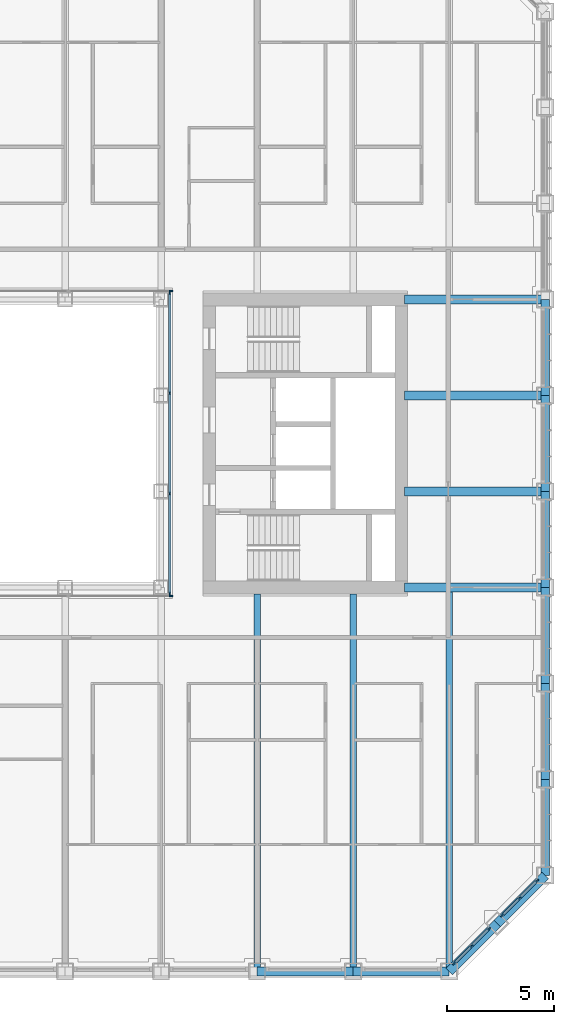
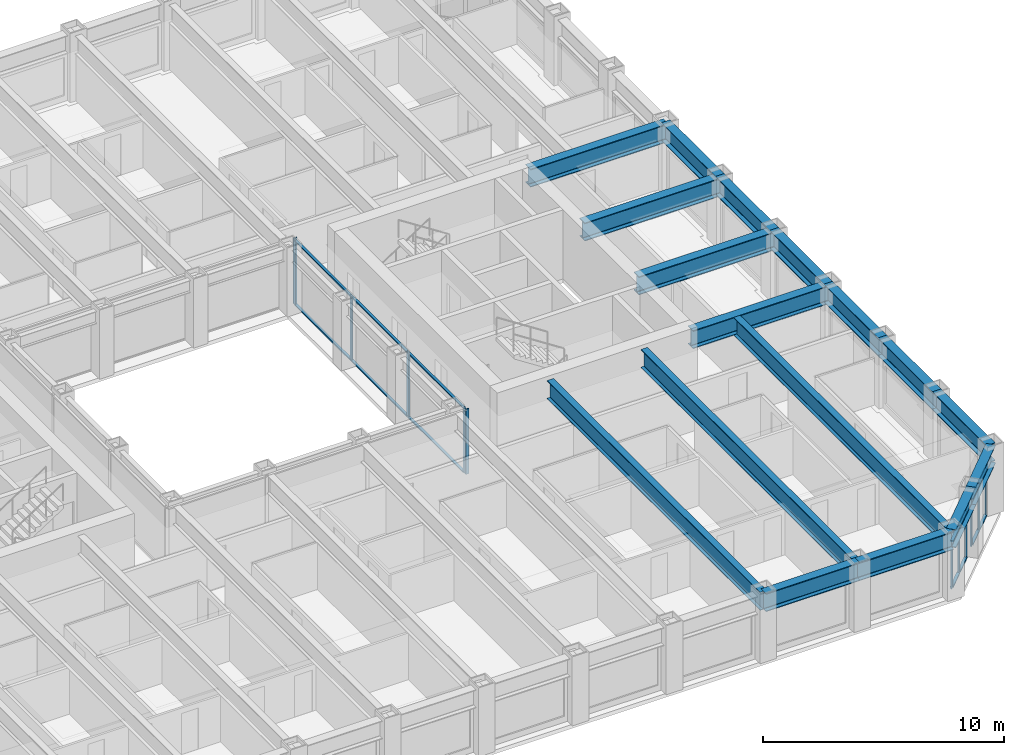
# One storey, part 5 of 20: 26 members, 17 beams, 5 elements without a shape of their own.
"""IFC4 building model written with IfcOpenShell, lengths in metres."""

from ifc_helpers import new_model, si_unit, direction, frame, origin, origin_2d, place, context, subcontext, project, spatial, rectangle, i_section, extrude, material, material_profile, profile_set, type_object, element, aggregate, save


model = new_model("IFC4")

# Units and contexts
model_context = context("Model", 3, precision=1e-05, world=origin(), true_north=direction((0.0, 1.0)))
body_context = subcontext(model_context, "Body", "Model", "MODEL_VIEW")
ifc_project = project(units=[si_unit("LENGTHUNIT", "METRE"), si_unit("AREAUNIT", "SQUARE_METRE"), si_unit("VOLUMEUNIT", "CUBIC_METRE"), si_unit("PLANEANGLEUNIT", "RADIAN"), si_unit("MASSUNIT", "GRAM", prefix="KILO")], contexts=[model_context])

# Site, building, storey
site_placement = place(None, origin())
site = spatial("IfcSite", under=ifc_project, at=site_placement, CompositionType="ELEMENT")
building_placement = place(site_placement, origin())
building = spatial("IfcBuilding", under=site, at=building_placement, Name="Msasa Ring Tower", CompositionType="ELEMENT")
storey_placement = place(building_placement, frame((0.0, 0.0, 65.0)))
storey = spatial("IfcBuildingStorey", under=building, at=storey_placement, Name="L16", CompositionType="ELEMENT", Elevation=65.0)

# Curtain wall, members
ifc_material_1 = material(Name="Aluminium curtain wall with clear glass", Category="aluminium")
curtain_wall_type_1 = type_object("IfcCurtainWallType", Name="CW-C CHAMFER CORNER CURTAIN WALL", PredefinedType="NOTDEFINED", material=ifc_material_1)
curtain_wall_1_placement = place(storey_placement, origin())
curtain_wall_1 = element("IfcCurtainWall", 1, at=curtain_wall_1_placement, inside=storey, type_object=curtain_wall_type_1, Name="Chamfer corner curtain wall SE L16", PredefinedType="NOTDEFINED")
ifc_material_2 = material(Name="Aluminium mullion", Category="aluminium")
ifc_material_profile_1 = material_profile(ifc_material_2, rectangle(XDim=0.06494140625, YDim=0.179931640625, at=origin_2d()), Name="AL 65x180")
ifc_profile_set_1 = profile_set([ifc_material_profile_1], Name="Aluminium mullion")
member_type_1 = type_object("IfcMemberType", Name="CW-C MULLION 65x180", PredefinedType="MULLION", material=ifc_profile_set_1)
member_1_placement = place(storey_placement, frame((20.48876953125, -24.369873046875, 0.0), z_axis=(0.0, 0.0, 1.0), x_axis=(-0.707106781187, 0.707106781187, 0.0)))
member_1 = element("IfcMember", 2, at=member_1_placement, type_object=member_type_1, Name="CW-C mullion 1", PredefinedType="MULLION", context=body_context, shape_type="SweptSolid", body=[
    extrude(rectangle(XDim=0.06494140625, YDim=0.179931640625, at=origin_2d()), origin(), (0.0, 0.0, 1.0), 2.37890625),
])
member_2_placement = place(storey_placement, frame((21.30419921875, -23.55419921875, 0.0), z_axis=(0.0, 0.0, 1.0), x_axis=(-0.707106781187, 0.707106781187, 0.0)))
member_2 = element("IfcMember", 3, at=member_2_placement, type_object=member_type_1, Name="CW-C mullion 2", PredefinedType="MULLION", context=body_context, shape_type="SweptSolid", body=[
    extrude(rectangle(XDim=0.06494140625, YDim=0.179931640625, at=origin_2d()), origin(), (0.0, 0.0, 1.0), 2.37890625),
])
member_3_placement = place(storey_placement, frame((22.119873046875, -22.73876953125, 0.0), z_axis=(0.0, 0.0, 1.0), x_axis=(-0.707106781187, 0.707106781187, 0.0)))
member_3 = element("IfcMember", 4, at=member_3_placement, type_object=member_type_1, Name="CW-C mullion 3", PredefinedType="MULLION", context=body_context, shape_type="SweptSolid", body=[
    extrude(rectangle(XDim=0.06494140625, YDim=0.179931640625, at=origin_2d()), origin(), (0.0, 0.0, 1.0), 2.37890625),
])

curtain_wall_2_placement = place(storey_placement, origin())
curtain_wall_2 = element("IfcCurtainWall", 5, at=curtain_wall_2_placement, inside=storey, type_object=curtain_wall_type_1, Name="Chamfer corner curtain wall SE L16", PredefinedType="NOTDEFINED")
member_4_placement = place(storey_placement, frame((22.73876953125, -22.119873046875, 0.0), z_axis=(0.0, 0.0, 1.0), x_axis=(-0.707106781187, 0.707106781187, 0.0)))
member_4 = element("IfcMember", 6, at=member_4_placement, type_object=member_type_1, Name="CW-C mullion 1", PredefinedType="MULLION", context=body_context, shape_type="SweptSolid", body=[
    extrude(rectangle(XDim=0.06494140625, YDim=0.179931640625, at=origin_2d()), origin(), (0.0, 0.0, 1.0), 2.37890625),
])
member_5_placement = place(storey_placement, frame((23.55419921875, -21.30419921875, 0.0), z_axis=(0.0, 0.0, 1.0), x_axis=(-0.707106781187, 0.707106781187, 0.0)))
member_5 = element("IfcMember", 7, at=member_5_placement, type_object=member_type_1, Name="CW-C mullion 2", PredefinedType="MULLION", context=body_context, shape_type="SweptSolid", body=[
    extrude(rectangle(XDim=0.06494140625, YDim=0.179931640625, at=origin_2d()), origin(), (0.0, 0.0, 1.0), 2.37890625),
])
member_6_placement = place(storey_placement, frame((24.369873046875, -20.48876953125, 0.0), z_axis=(0.0, 0.0, 1.0), x_axis=(-0.707106781187, 0.707106781187, 0.0)))
member_6 = element("IfcMember", 8, at=member_6_placement, type_object=member_type_1, Name="CW-C mullion 3", PredefinedType="MULLION", context=body_context, shape_type="SweptSolid", body=[
    extrude(rectangle(XDim=0.06494140625, YDim=0.179931640625, at=origin_2d()), origin(), (0.0, 0.0, 1.0), 2.37890625),
])

# Member
ifc_material_3 = material(Name="Aluminium transom", Category="aluminium")
ifc_material_profile_2 = material_profile(ifc_material_3, rectangle(XDim=0.139892578125, YDim=0.06494140625, at=origin_2d()), Name="AL 65x140")
ifc_profile_set_2 = profile_set([ifc_material_profile_2], Name="Aluminium transom")
member_type_2 = type_object("IfcMemberType", Name="CW-C TRANSOM 65x140", PredefinedType="USERDEFINED", material=ifc_profile_set_2)
member_7_placement = place(storey_placement, frame((20.51171875, -24.346923828125, 0.032470703125), z_axis=(0.707106781187, 0.707106781187, 0.0), x_axis=(-0.707106781187, 0.707106781187, 0.0)))
member_7 = element("IfcMember", 9, at=member_7_placement, type_object=member_type_2, Name="CW-C transom 1.1", ObjectType="TRANSOM", PredefinedType="USERDEFINED", context=body_context, shape_type="SweptSolid", body=[
    extrude(rectangle(XDim=0.139892578125, YDim=0.06494140625, at=origin_2d()), origin(), (0.0, 0.0, 1.0), 1.08837890625),
])

member_8_placement = place(storey_placement, frame((20.51171875, -24.346923828125, 2.346435546875), z_axis=(0.707106781187, 0.707106781187, 0.0), x_axis=(-0.707106781187, 0.707106781187, 0.0)))
member_8 = element("IfcMember", 10, at=member_8_placement, type_object=member_type_2, Name="CW-C transom 1.2", ObjectType="TRANSOM", PredefinedType="USERDEFINED", context=body_context, shape_type="SweptSolid", body=[
    extrude(rectangle(XDim=0.139892578125, YDim=0.06494140625, at=origin_2d()), origin(), (0.0, 0.0, 1.0), 1.08837890625),
])

member_9_placement = place(storey_placement, frame((21.327392578125, -23.53125, 0.032470703125), z_axis=(0.707106781187, 0.707106781187, 0.0), x_axis=(-0.707106781187, 0.707106781187, 0.0)))
member_9 = element("IfcMember", 11, at=member_9_placement, type_object=member_type_2, Name="CW-C transom 2.1", ObjectType="TRANSOM", PredefinedType="USERDEFINED", context=body_context, shape_type="SweptSolid", body=[
    extrude(rectangle(XDim=0.139892578125, YDim=0.06494140625, at=origin_2d()), origin(), (0.0, 0.0, 1.0), 1.08837890625),
])

member_10_placement = place(storey_placement, frame((21.327392578125, -23.53125, 2.346435546875), z_axis=(0.707106781187, 0.707106781187, 0.0), x_axis=(-0.707106781187, 0.707106781187, 0.0)))
member_10 = element("IfcMember", 12, at=member_10_placement, type_object=member_type_2, Name="CW-C transom 2.2", ObjectType="TRANSOM", PredefinedType="USERDEFINED", context=body_context, shape_type="SweptSolid", body=[
    extrude(rectangle(XDim=0.139892578125, YDim=0.06494140625, at=origin_2d()), origin(), (0.0, 0.0, 1.0), 1.08837890625),
])

aggregate(curtain_wall_1, [member_1, member_2, member_3, member_7, member_8, member_9, member_10])

member_11_placement = place(storey_placement, frame((22.76171875, -22.096923828125, 0.032470703125), z_axis=(0.707106781187, 0.707106781187, 0.0), x_axis=(-0.707106781187, 0.707106781187, 0.0)))
member_11 = element("IfcMember", 13, at=member_11_placement, type_object=member_type_2, Name="CW-C transom 1.1", ObjectType="TRANSOM", PredefinedType="USERDEFINED", context=body_context, shape_type="SweptSolid", body=[
    extrude(rectangle(XDim=0.139892578125, YDim=0.06494140625, at=origin_2d()), origin(), (0.0, 0.0, 1.0), 1.08837890625),
])

member_12_placement = place(storey_placement, frame((22.76171875, -22.096923828125, 2.346435546875), z_axis=(0.707106781187, 0.707106781187, 0.0), x_axis=(-0.707106781187, 0.707106781187, 0.0)))
member_12 = element("IfcMember", 14, at=member_12_placement, type_object=member_type_2, Name="CW-C transom 1.2", ObjectType="TRANSOM", PredefinedType="USERDEFINED", context=body_context, shape_type="SweptSolid", body=[
    extrude(rectangle(XDim=0.139892578125, YDim=0.06494140625, at=origin_2d()), origin(), (0.0, 0.0, 1.0), 1.08837890625),
])

member_13_placement = place(storey_placement, frame((23.577392578125, -21.28125, 0.032470703125), z_axis=(0.707106781187, 0.707106781187, 0.0), x_axis=(-0.707106781187, 0.707106781187, 0.0)))
member_13 = element("IfcMember", 15, at=member_13_placement, type_object=member_type_2, Name="CW-C transom 2.1", ObjectType="TRANSOM", PredefinedType="USERDEFINED", context=body_context, shape_type="SweptSolid", body=[
    extrude(rectangle(XDim=0.139892578125, YDim=0.06494140625, at=origin_2d()), origin(), (0.0, 0.0, 1.0), 1.08837890625),
])

member_14_placement = place(storey_placement, frame((23.577392578125, -21.28125, 2.346435546875), z_axis=(0.707106781187, 0.707106781187, 0.0), x_axis=(-0.707106781187, 0.707106781187, 0.0)))
member_14 = element("IfcMember", 16, at=member_14_placement, type_object=member_type_2, Name="CW-C transom 2.2", ObjectType="TRANSOM", PredefinedType="USERDEFINED", context=body_context, shape_type="SweptSolid", body=[
    extrude(rectangle(XDim=0.139892578125, YDim=0.06494140625, at=origin_2d()), origin(), (0.0, 0.0, 1.0), 1.08837890625),
])

aggregate(curtain_wall_2, [member_4, member_5, member_6, member_11, member_12, member_13, member_14])

# Curtain wall, member
ifc_material_4 = material(Name="Aluminium curtain wall with clear glass", Category="aluminium")
curtain_wall_type_2 = type_object("IfcCurtainWallType", Name="CW-W LIGHT WELL CURTAIN WALL", PredefinedType="NOTDEFINED", material=ifc_material_4)
curtain_wall_3_placement = place(storey_placement, origin())
curtain_wall_3 = element("IfcCurtainWall", 17, at=curtain_wall_3_placement, inside=storey, type_object=curtain_wall_type_2, Name="Light well curtain wall N L16", PredefinedType="NOTDEFINED")
ifc_material_5 = material(Name="Aluminium mullion", Category="aluminium")
ifc_material_profile_3 = material_profile(ifc_material_5, rectangle(XDim=0.06005859375, YDim=0.159912109375, at=origin_2d()), Name="AL 60x160")
ifc_profile_set_3 = profile_set([ifc_material_profile_3], Name="Aluminium mullion")
member_type_3 = type_object("IfcMemberType", Name="CW-W MULLION 60x160", PredefinedType="MULLION", material=ifc_profile_set_3)
member_15_placement = place(storey_placement, frame((7.199951171875, 7.14990234375, 0.0), z_axis=(0.0, 0.0, 1.0), x_axis=(0.0, 1.0, 0.0)))
member_15 = element("IfcMember", 18, at=member_15_placement, type_object=member_type_3, Name="CW-W mullion 4", PredefinedType="MULLION", context=body_context, shape_type="SweptSolid", body=[
    extrude(rectangle(XDim=0.06005859375, YDim=0.159912109375, at=origin_2d()), origin(), (0.0, 0.0, 1.0), 3.300048828125),
])
aggregate(curtain_wall_3, [member_15])

curtain_wall_4_placement = place(storey_placement, origin())
curtain_wall_4 = element("IfcCurtainWall", 19, at=curtain_wall_4_placement, inside=storey, type_object=curtain_wall_type_2, Name="Light well curtain wall S L16", PredefinedType="NOTDEFINED")
member_16_placement = place(storey_placement, frame((7.199951171875, -7.14990234375, 0.0), z_axis=(0.0, 0.0, 1.0), x_axis=(0.0, 1.0, 0.0)))
member_16 = element("IfcMember", 20, at=member_16_placement, type_object=member_type_3, Name="CW-W mullion 4", PredefinedType="MULLION", context=body_context, shape_type="SweptSolid", body=[
    extrude(rectangle(XDim=0.06005859375, YDim=0.159912109375, at=origin_2d()), origin(), (0.0, 0.0, 1.0), 3.300048828125),
])
aggregate(curtain_wall_4, [member_16])

# Curtain wall, members
curtain_wall_5_placement = place(storey_placement, origin())
curtain_wall_5 = element("IfcCurtainWall", 21, at=curtain_wall_5_placement, inside=storey, type_object=curtain_wall_type_2, Name="Light well curtain wall E L16", PredefinedType="NOTDEFINED")
member_17_placement = place(storey_placement, frame((7.14990234375, -7.0400390625, 0.0), z_axis=(0.0, 0.0, 1.0), x_axis=(-1.0, 0.0, 0.0)))
member_17 = element("IfcMember", 22, at=member_17_placement, type_object=member_type_3, Name="CW-W mullion 1", PredefinedType="MULLION", context=body_context, shape_type="SweptSolid", body=[
    extrude(rectangle(XDim=0.06005859375, YDim=0.159912109375, at=origin_2d()), origin(), (0.0, 0.0, 1.0), 3.300048828125),
])
member_18_placement = place(storey_placement, frame((7.14990234375, -2.356689453125, 0.0), z_axis=(0.0, 0.0, 1.0), x_axis=(-1.0, 0.0, 0.0)))
member_18 = element("IfcMember", 23, at=member_18_placement, type_object=member_type_3, Name="CW-W mullion 2", PredefinedType="MULLION", context=body_context, shape_type="SweptSolid", body=[
    extrude(rectangle(XDim=0.06005859375, YDim=0.159912109375, at=origin_2d()), origin(), (0.0, 0.0, 1.0), 3.300048828125),
])
member_19_placement = place(storey_placement, frame((7.14990234375, 2.356689453125, 0.0), z_axis=(0.0, 0.0, 1.0), x_axis=(-1.0, 0.0, 0.0)))
member_19 = element("IfcMember", 24, at=member_19_placement, type_object=member_type_3, Name="CW-W mullion 3", PredefinedType="MULLION", context=body_context, shape_type="SweptSolid", body=[
    extrude(rectangle(XDim=0.06005859375, YDim=0.159912109375, at=origin_2d()), origin(), (0.0, 0.0, 1.0), 3.300048828125),
])
member_20_placement = place(storey_placement, frame((7.14990234375, 7.0400390625, 0.0), z_axis=(0.0, 0.0, 1.0), x_axis=(-1.0, 0.0, 0.0)))
member_20 = element("IfcMember", 25, at=member_20_placement, type_object=member_type_3, Name="CW-W mullion 4", PredefinedType="MULLION", context=body_context, shape_type="SweptSolid", body=[
    extrude(rectangle(XDim=0.06005859375, YDim=0.159912109375, at=origin_2d()), origin(), (0.0, 0.0, 1.0), 3.300048828125),
])
ifc_material_6 = material(Name="Aluminium transom", Category="aluminium")
ifc_material_profile_4 = material_profile(ifc_material_6, rectangle(XDim=0.1201171875, YDim=0.06005859375, at=origin_2d()), Name="AL 60x120")
ifc_profile_set_4 = profile_set([ifc_material_profile_4], Name="Aluminium transom")
member_type_4 = type_object("IfcMemberType", Name="CW-W TRANSOM 60x120", PredefinedType="USERDEFINED", material=ifc_profile_set_4)
member_21_placement = place(storey_placement, frame((7.14990234375, -7.010009765625, 0.030029296875), z_axis=(0.0, 1.0, 0.0), x_axis=(-1.0, 0.0, 0.0)))
member_21 = element("IfcMember", 26, at=member_21_placement, type_object=member_type_4, Name="CW-W transom 1.1", ObjectType="TRANSOM", PredefinedType="USERDEFINED", context=body_context, shape_type="SweptSolid", body=[
    extrude(rectangle(XDim=0.1201171875, YDim=0.06005859375, at=origin_2d()), origin(), (0.0, 0.0, 1.0), 4.623291015625),
])
member_22_placement = place(storey_placement, frame((7.14990234375, -7.010009765625, 3.27001953125), z_axis=(0.0, 1.0, 0.0), x_axis=(-1.0, 0.0, 0.0)))
member_22 = element("IfcMember", 27, at=member_22_placement, type_object=member_type_4, Name="CW-W transom 1.2", ObjectType="TRANSOM", PredefinedType="USERDEFINED", context=body_context, shape_type="SweptSolid", body=[
    extrude(rectangle(XDim=0.1201171875, YDim=0.06005859375, at=origin_2d()), origin(), (0.0, 0.0, 1.0), 4.623291015625),
])
member_23_placement = place(storey_placement, frame((7.14990234375, -2.32666015625, 0.030029296875), z_axis=(0.0, 1.0, 0.0), x_axis=(-1.0, 0.0, 0.0)))
member_23 = element("IfcMember", 28, at=member_23_placement, type_object=member_type_4, Name="CW-W transom 2.1", ObjectType="TRANSOM", PredefinedType="USERDEFINED", context=body_context, shape_type="SweptSolid", body=[
    extrude(rectangle(XDim=0.1201171875, YDim=0.06005859375, at=origin_2d()), origin(), (0.0, 0.0, 1.0), 4.6533203125),
])
member_24_placement = place(storey_placement, frame((7.14990234375, -2.32666015625, 3.27001953125), z_axis=(0.0, 1.0, 0.0), x_axis=(-1.0, 0.0, 0.0)))
member_24 = element("IfcMember", 29, at=member_24_placement, type_object=member_type_4, Name="CW-W transom 2.2", ObjectType="TRANSOM", PredefinedType="USERDEFINED", context=body_context, shape_type="SweptSolid", body=[
    extrude(rectangle(XDim=0.1201171875, YDim=0.06005859375, at=origin_2d()), origin(), (0.0, 0.0, 1.0), 4.6533203125),
])
member_25_placement = place(storey_placement, frame((7.14990234375, 2.38671875, 0.030029296875), z_axis=(0.0, 1.0, 0.0), x_axis=(-1.0, 0.0, 0.0)))
member_25 = element("IfcMember", 30, at=member_25_placement, type_object=member_type_4, Name="CW-W transom 3.1", ObjectType="TRANSOM", PredefinedType="USERDEFINED", context=body_context, shape_type="SweptSolid", body=[
    extrude(rectangle(XDim=0.1201171875, YDim=0.06005859375, at=origin_2d()), origin(), (0.0, 0.0, 1.0), 4.623291015625),
])
member_26_placement = place(storey_placement, frame((7.14990234375, 2.38671875, 3.27001953125), z_axis=(0.0, 1.0, 0.0), x_axis=(-1.0, 0.0, 0.0)))
member_26 = element("IfcMember", 31, at=member_26_placement, type_object=member_type_4, Name="CW-W transom 3.2", ObjectType="TRANSOM", PredefinedType="USERDEFINED", context=body_context, shape_type="SweptSolid", body=[
    extrude(rectangle(XDim=0.1201171875, YDim=0.06005859375, at=origin_2d()), origin(), (0.0, 0.0, 1.0), 4.623291015625),
])
aggregate(curtain_wall_5, [member_17, member_18, member_19, member_20, member_21, member_22, member_23, member_24, member_25, member_26])

# Beams
ifc_material_7 = material(Name="Steel S355", Category="steel")
ifc_material_profile_5 = material_profile(ifc_material_7, i_section(OverallWidth=0.42041015625, OverallDepth=0.9208984375, WebThickness=0.021484375, FlangeThickness=0.03662109375, FilletRadius=0.024169921875, at=origin_2d()), Name="UB 914x419x388")
ifc_profile_set_5 = profile_set([ifc_material_profile_5], Name="Steel S355")
beam_type_1 = type_object("IfcBeamType", Name="FB2 UB 914x419x388", PredefinedType="BEAM", material=ifc_profile_set_5)
for number, where, z_axis, x_axis, name in (
    (32, (24.75, -2.25, 2.839599609375), (-1.0, 0.0, 0.0), (0.0, -1.0, 0.0), "Floor beam E -2.25 under L17"),
    (33, (24.75, 2.25, 2.839599609375), (-1.0, 0.0, 0.0), (0.0, -1.0, 0.0), "Floor beam E +2.25 under L17"),
):
    element("IfcBeam", number, at=place(storey_placement, frame(where, z_axis=z_axis, x_axis=x_axis)), inside=storey, type_object=beam_type_1, Name=name, PredefinedType="BEAM", context=body_context, shape_type="SweptSolid", body=[
        extrude(i_section(OverallWidth=0.42041015625, OverallDepth=0.9208984375, WebThickness=0.021484375, FlangeThickness=0.03662109375, FilletRadius=0.024169921875, at=origin_2d()), origin(), (0.0, 0.0, 1.0), 6.60009765625),
    ])
ifc_material_8 = material(Name="Steel S355", Category="steel")
ifc_material_profile_6 = material_profile(ifc_material_8, i_section(OverallWidth=0.3076171875, OverallDepth=0.926513671875, WebThickness=0.01953125, FlangeThickness=0.031982421875, FilletRadius=0.01904296875, at=origin_2d()), Name="UB 914x305x289")
ifc_profile_set_6 = profile_set([ifc_material_profile_6], Name="Steel S355")
beam_type_2 = type_object("IfcBeamType", Name="FB3 UB 914x305x289", PredefinedType="BEAM", material=ifc_profile_set_6)
for number, where, z_axis, x_axis, name in (
    (34, (11.25, -24.75, 2.836669921875), (0.0, 1.0, 0.0), (-1.0, 0.0, 0.0), "Floor beam S+11.25 under L17"),
    (35, (15.75, -24.75, 2.836669921875), (0.0, 1.0, 0.0), (-1.0, 0.0, 0.0), "Floor beam S+15.75 under L17"),
):
    element("IfcBeam", number, at=place(storey_placement, frame(where, z_axis=z_axis, x_axis=x_axis)), inside=storey, type_object=beam_type_2, Name=name, PredefinedType="BEAM", context=body_context, shape_type="SweptSolid", body=[
        extrude(i_section(OverallWidth=0.3076171875, OverallDepth=0.926513671875, WebThickness=0.01953125, FlangeThickness=0.031982421875, FilletRadius=0.01904296875, at=origin_2d()), origin(), (0.0, 0.0, 1.0), 17.699951171875),
    ])
beam_placement = place(storey_placement, frame((20.25, -24.75, 2.836669921875), z_axis=(0.0, 1.0, 0.0), x_axis=(-1.0, 0.0, 0.0)))
element("IfcBeam", 36, at=beam_placement, inside=storey, type_object=beam_type_2, Name="Floor beam S+20.25 under L17", PredefinedType="BEAM", context=body_context, shape_type="SweptSolid", body=[
    extrude(i_section(OverallWidth=0.3076171875, OverallDepth=0.926513671875, WebThickness=0.01953125, FlangeThickness=0.031982421875, FilletRadius=0.01904296875, at=origin_2d()), origin(), (0.0, 0.0, 1.0), 17.789794921875),
])
ifc_material_9 = material(Name="Steel S355", Category="steel")
ifc_material_profile_7 = material_profile(ifc_material_9, i_section(OverallWidth=0.42041015625, OverallDepth=0.9208984375, WebThickness=0.021484375, FlangeThickness=0.03662109375, FilletRadius=0.024169921875, at=origin_2d()), Name="UB 914x419x388")
ifc_profile_set_7 = profile_set([ifc_material_profile_7], Name="Steel S355")
beam_type_3 = type_object("IfcBeamType", Name="GB1 UB 914x419x388", PredefinedType="BEAM", material=ifc_profile_set_7)
for number, where, z_axis, x_axis, name in (
    (37, (18.14990234375, 6.75, 2.839599609375), (1.0, 0.0, 0.0), (0.0, 1.0, 0.0), "Girder E +6.75 under L17"),
    (38, (18.14990234375, -6.75, 2.839599609375), (1.0, 0.0, 0.0), (0.0, 1.0, 0.0), "Girder E -6.75 under L17"),
):
    element("IfcBeam", number, at=place(storey_placement, frame(where, z_axis=z_axis, x_axis=x_axis)), inside=storey, type_object=beam_type_3, Name=name, PredefinedType="BEAM", context=body_context, shape_type="SweptSolid", body=[
        extrude(i_section(OverallWidth=0.42041015625, OverallDepth=0.9208984375, WebThickness=0.021484375, FlangeThickness=0.03662109375, FilletRadius=0.024169921875, at=origin_2d()), origin(), (0.0, 0.0, 1.0), 6.60009765625),
    ])
ifc_material_10 = material(Name="Steel S355", Category="steel")
ifc_material_profile_8 = material_profile(ifc_material_10, i_section(OverallWidth=0.42041015625, OverallDepth=0.9208984375, WebThickness=0.021484375, FlangeThickness=0.03662109375, FilletRadius=0.024169921875, at=origin_2d()), Name="UB 914x419x388")
ifc_profile_set_8 = profile_set([ifc_material_profile_8], Name="Steel S355")
beam_type_4 = type_object("IfcBeamType", Name="SB1 UB 914x419x388", PredefinedType="SPANDREL", material=ifc_profile_set_8)
for number, where, z_axis, x_axis, name in (
    (39, (11.25, -24.75, 2.839599609375), (1.0, 0.0, 0.0), (0.0, 1.0, 0.0), "Spandrel S+11.25 to S+15.75 under L17"),
    (40, (15.75, -24.75, 2.839599609375), (1.0, 0.0, 0.0), (0.0, 1.0, 0.0), "Spandrel S+15.75 to S+20.25 under L17"),
):
    element("IfcBeam", number, at=place(storey_placement, frame(where, z_axis=z_axis, x_axis=x_axis)), inside=storey, type_object=beam_type_4, Name=name, PredefinedType="SPANDREL", context=body_context, shape_type="SweptSolid", body=[
        extrude(i_section(OverallWidth=0.42041015625, OverallDepth=0.9208984375, WebThickness=0.021484375, FlangeThickness=0.03662109375, FilletRadius=0.024169921875, at=origin_2d()), origin(), (0.0, 0.0, 1.0), 4.5),
    ])
for number, where, z_axis, x_axis, name in (
    (41, (20.25, -24.75, 2.839599609375), (0.707106781187, 0.707106781187, 0.0), (-0.707106781187, 0.707106781187, 0.0), "Spandrel S+20.25 to SE under L17"),
    (42, (22.5, -22.5, 2.839599609375), (0.707106781187, 0.707106781187, 0.0), (-0.707106781187, 0.707106781187, 0.0), "Spandrel SE to E-20.25 under L17"),
):
    element("IfcBeam", number, at=place(storey_placement, frame(where, z_axis=z_axis, x_axis=x_axis)), inside=storey, type_object=beam_type_4, Name=name, PredefinedType="SPANDREL", context=body_context, shape_type="SweptSolid", body=[
        extrude(i_section(OverallWidth=0.42041015625, OverallDepth=0.9208984375, WebThickness=0.021484375, FlangeThickness=0.03662109375, FilletRadius=0.024169921875, at=origin_2d()), origin(), (0.0, 0.0, 1.0), 3.181884765625),
    ])
for number, where, z_axis, x_axis, name in (
    (43, (24.75, -20.25, 2.839599609375), (0.0, 1.0, 0.0), (-1.0, 0.0, 0.0), "Spandrel E-20.25 to E-15.75 under L17"),
    (44, (24.75, -15.75, 2.839599609375), (0.0, 1.0, 0.0), (-1.0, 0.0, 0.0), "Spandrel E-15.75 to E-11.25 under L17"),
    (45, (24.75, -11.25, 2.839599609375), (0.0, 1.0, 0.0), (-1.0, 0.0, 0.0), "Spandrel E-11.25 to E-6.75 under L17"),
    (46, (24.75, -6.75, 2.839599609375), (0.0, 1.0, 0.0), (-1.0, 0.0, 0.0), "Spandrel E-6.75 to E-2.25 under L17"),
    (47, (24.75, -2.25, 2.839599609375), (0.0, 1.0, 0.0), (-1.0, 0.0, 0.0), "Spandrel E-2.25 to E+2.25 under L17"),
    (48, (24.75, 2.25, 2.839599609375), (0.0, 1.0, 0.0), (-1.0, 0.0, 0.0), "Spandrel E+2.25 to E+6.75 under L17"),
):
    element("IfcBeam", number, at=place(storey_placement, frame(where, z_axis=z_axis, x_axis=x_axis)), inside=storey, type_object=beam_type_4, Name=name, PredefinedType="SPANDREL", context=body_context, shape_type="SweptSolid", body=[
        extrude(i_section(OverallWidth=0.42041015625, OverallDepth=0.9208984375, WebThickness=0.021484375, FlangeThickness=0.03662109375, FilletRadius=0.024169921875, at=origin_2d()), origin(), (0.0, 0.0, 1.0), 4.5),
    ])

save(model, "model.ifc")
